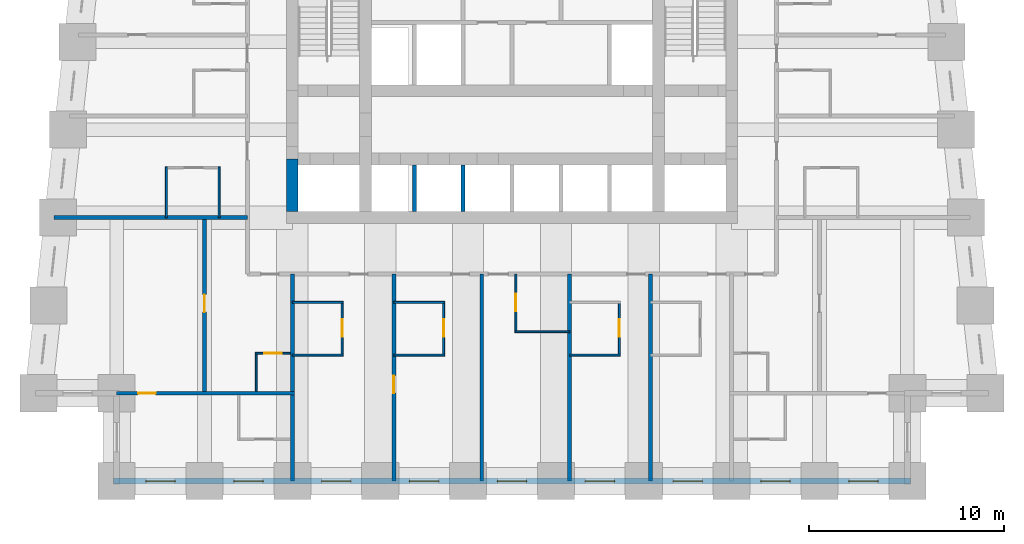
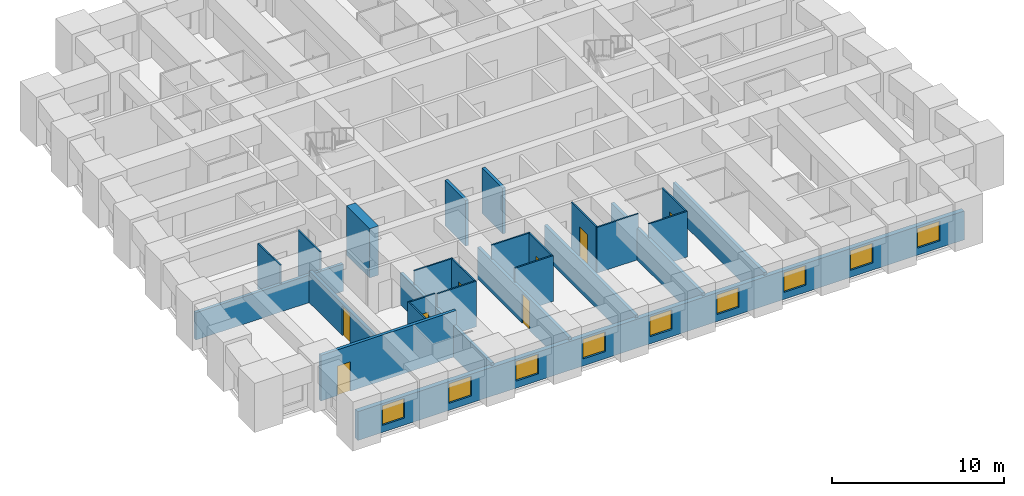
# One storey, part 2 of 8: 26 walls, 9 windows, 8 doors, 17 openings.
"""IFC4 building model written with IfcOpenShell, lengths in metres."""

import ifcopenshell
import ifcopenshell.guid

model = None  # the IFC model being written
_history = None  # IfcOwnerHistory: only IFC2X3 demands one
_inside = {}  # id of a spatial element -> (the spatial element, [elements in it])
_under = {}  # id of a project, library or spatial element -> (it, [spatial elements below it])
_declared = {}  # id of a project -> (the project, [libraries it declares])
_typed = {}  # id of a type object -> (the type object, [elements of that type])
_made_of = {}  # id of a material, layer set ... -> (it, [elements and type objects made of it])


def new_model(schema):
    """Start an empty IFC model of exactly this schema.

    Asked for "IFC4X3", IfcOpenShell would pick the latest addendum, in which some entities
    have other attributes; the version numbers below select the first issue.
    IFC2X3 requires an IfcOwnerHistory on every rooted entity: one is made here for all.
    """
    global model, _history
    if schema == "IFC4X3":
        model = ifcopenshell.file(schema_version=(4, 3, 0, 0))
    else:
        model = ifcopenshell.file(schema=schema)
    _inside.clear()
    _under.clear()
    _declared.clear()
    _typed.clear()
    _made_of.clear()
    _history = None
    if model.schema == "IFC2X3":
        org = make("IfcOrganization", Name="unknown")
        user = make(
            "IfcPersonAndOrganization",
            ThePerson=make("IfcPerson", FamilyName="unknown"),
            TheOrganization=org,
        )
        app = make(
            "IfcApplication",
            ApplicationDeveloper=org,
            Version="unknown",
            ApplicationFullName="unknown",
            ApplicationIdentifier="unknown",
        )
        _history = make(
            "IfcOwnerHistory",
            OwningUser=user,
            OwningApplication=app,
            ChangeAction="ADDED",
            CreationDate=0,
        )
    return model


def make(cls, **values):
    """One entity of the class cls with the attributes given. An attribute that is None is left unset."""
    return model.create_entity(
        cls, **{name: value for name, value in values.items() if value is not None}
    )


def rooted(cls, **values):
    """An entity with a GlobalId (a new one), such as an element, a storey or a relation."""
    return make(cls, GlobalId=ifcopenshell.guid.new(), OwnerHistory=_history, **values)


def si_unit(unit_type, name, prefix=None):
    """IfcSIUnit, for example si_unit("LENGTHUNIT", "METRE", prefix="MILLI")."""
    return make("IfcSIUnit", UnitType=unit_type, Prefix=prefix, Name=name)


def assignment(units):
    """IfcUnitAssignment: the units of a project."""
    return None if units is None else make("IfcUnitAssignment", Units=units)


def point(xyz):
    """IfcCartesianPoint."""
    return None if xyz is None else make("IfcCartesianPoint", Coordinates=xyz)


def direction(xyz):
    """IfcDirection."""
    return None if xyz is None else make("IfcDirection", DirectionRatios=xyz)


def frame(location, z_axis=None, x_axis=None):
    """IfcAxis2Placement3D, a coordinate frame: its origin and axes. An axis left out is left unset."""
    return make(
        "IfcAxis2Placement3D",
        Location=point(location),
        Axis=direction(z_axis),
        RefDirection=direction(x_axis),
    )


def frame_2d(location, x_axis=None):
    """IfcAxis2Placement2D, a coordinate frame in the plane: its origin and x axis."""
    return make(
        "IfcAxis2Placement2D", Location=point(location), RefDirection=direction(x_axis)
    )


def origin():
    """The frame at (0, 0, 0) with its axes left unset."""
    return frame((0.0, 0.0, 0.0))


def place(relative_to, where):
    """IfcLocalPlacement: puts the frame where relative to a parent placement (None: the world)."""
    return make(
        "IfcLocalPlacement", PlacementRelTo=relative_to, RelativePlacement=where
    )


def context(
    kind, dimensions, precision=None, world=None, true_north=None, identifier=None
):
    """IfcGeometricRepresentationContext, for example the 3D "Model" context."""
    return make(
        "IfcGeometricRepresentationContext",
        ContextIdentifier=identifier,
        ContextType=kind,
        CoordinateSpaceDimension=dimensions,
        Precision=precision,
        WorldCoordinateSystem=world,
        TrueNorth=true_north,
    )


def subcontext(parent, identifier, kind, view, scale=None):
    """IfcGeometricRepresentationSubContext, for example "Body" below "Model"."""
    return make(
        "IfcGeometricRepresentationSubContext",
        ContextIdentifier=identifier,
        ContextType=kind,
        ParentContext=parent,
        TargetScale=scale,
        TargetView=view,
    )


def project(units=None, contexts=None):
    """IfcProject with its units and contexts."""
    return rooted(
        "IfcProject",
        Name="project",
        RepresentationContexts=contexts,
        UnitsInContext=assignment(units),
    )


def spatial(cls, under=None, at=None, **own):
    """A site, building, storey or space (cls), placed at a placement, below another one or the project."""
    s = rooted(cls, ObjectPlacement=at, **own)
    if under is not None:
        _under.setdefault(under.id(), (under, []))[1].append(s)
    return s


def profile(cls, at=None, kind="AREA", **sizes):
    """A parametric profile (cls). Its sizes go by their IFC names, for example OverallWidth=200.0."""
    return make(cls, ProfileType=kind, Position=at, **sizes)


def rectangle(**sizes):
    """IfcRectangleProfileDef."""
    return profile("IfcRectangleProfileDef", **sizes)


def extrude(swept, where, along, depth):
    """IfcExtrudedAreaSolid: the profile swept, set in the frame where, extruded along a direction by depth."""
    return make(
        "IfcExtrudedAreaSolid",
        SweptArea=swept,
        Position=where,
        ExtrudedDirection=direction(along),
        Depth=depth,
    )


def shape(context_of_items, identifier, shape_type, items):
    """IfcShapeRepresentation: the items that make up one representation, for example the "Body"."""
    return make(
        "IfcShapeRepresentation",
        ContextOfItems=context_of_items,
        RepresentationIdentifier=identifier,
        RepresentationType=shape_type,
        Items=items,
    )


def material(Name=None, Category=None):
    """IfcMaterial."""
    return make("IfcMaterial", Name=Name, Category=Category)


def layer(
    of_material, thickness, ventilated=None, Name=None, Category=None, Priority=None
):
    """IfcMaterialLayer: one layer of a wall or slab, of a material (None: an air gap)."""
    return make(
        "IfcMaterialLayer",
        Material=of_material,
        LayerThickness=thickness,
        IsVentilated=ventilated,
        Name=Name,
        Category=Category,
        Priority=Priority,
    )


def layer_set(layers, Name=None):
    """IfcMaterialLayerSet."""
    return make("IfcMaterialLayerSet", MaterialLayers=layers, LayerSetName=Name)


def made_of(thing, what):
    """Note that an element or type object is made of a material, layer set ...; save() writes the relation."""
    if what is not None:
        _made_of.setdefault(what.id(), (what, []))[1].append(thing)
    return thing


def type_object(cls, material=None, **own):
    """A type object (cls), such as IfcWallType, which elements share."""
    return made_of(rooted(cls, **own), material)


def element(
    cls,
    number,
    at=None,
    inside=None,
    cuts=None,
    type_object=None,
    material=None,
    context=None,
    identifier="Body",
    shape_type=None,
    held_by="IfcProductDefinitionShape",
    body=None,
    shapes=None,
    **own,
):
    """One element of the class cls, such as IfcWall. Its Tag is "e" and its number.

    at: its placement. inside: the storey or other place that contains it. cuts: it is an
    opening in that element (IfcRelVoidsElement). A single representation is given by context,
    identifier, shape_type and body (its items); several are given by shapes. held_by: the class
    of the entity that holds the representations. save() writes the other relations.
    """
    e = rooted(cls, Tag="e%d" % number, ObjectPlacement=at, **own)
    if body is not None:
        shapes = [shape(context, identifier, shape_type, body)]
    if shapes is not None:
        e.Representation = make(held_by, Representations=shapes)
    if inside is not None:
        _inside.setdefault(inside.id(), (inside, []))[1].append(e)
    if cuts is not None:
        rooted(
            "IfcRelVoidsElement", RelatingBuildingElement=cuts, RelatedOpeningElement=e
        )
    if type_object is not None:
        _typed.setdefault(type_object.id(), (type_object, []))[1].append(e)
    return made_of(e, material)


def fill(opening, filler):
    """IfcRelFillsElement: the door or window that sits in an opening."""
    return rooted(
        "IfcRelFillsElement",
        RelatingOpeningElement=opening,
        RelatedBuildingElement=filler,
    )


def aggregate(whole, parts):
    """IfcRelAggregates: a whole, such as a stair, and the parts it consists of."""
    return rooted("IfcRelAggregates", RelatingObject=whole, RelatedObjects=parts)


def save(model, path):
    """Write the relations noted so far, then the file.

    IfcRelAggregates (storeys below a building ...), IfcRelContainedInSpatialStructure (elements
    in a storey), IfcRelDefinesByType, IfcRelAssociatesMaterial and IfcRelDeclares: one each for
    every whole, place, type object, material and project.
    """
    for whole, parts in _under.values():
        aggregate(whole, parts)
    for where, things in _inside.values():
        rooted(
            "IfcRelContainedInSpatialStructure",
            RelatedElements=things,
            RelatingStructure=where,
        )
    for kind, things in _typed.values():
        rooted("IfcRelDefinesByType", RelatedObjects=things, RelatingType=kind)
    for what, things in _made_of.values():
        rooted("IfcRelAssociatesMaterial", RelatedObjects=things, RelatingMaterial=what)
    for by, libraries in _declared.values():
        rooted("IfcRelDeclares", RelatingContext=by, RelatedDefinitions=libraries)
    model.write(path)


model = new_model("IFC4")

# Units and contexts
model_context = context("Model", 3, precision=1e-05, world=origin(), true_north=direction((0.0, 1.0)))
body_context = subcontext(model_context, "Body", "Model", "MODEL_VIEW")
ifc_project = project(units=[si_unit("LENGTHUNIT", "METRE"), si_unit("AREAUNIT", "SQUARE_METRE"), si_unit("VOLUMEUNIT", "CUBIC_METRE"), si_unit("PLANEANGLEUNIT", "RADIAN"), si_unit("MASSUNIT", "GRAM", prefix="KILO")], contexts=[model_context])

# Site, building, storey
site_placement = place(None, origin())
site = spatial("IfcSite", under=ifc_project, at=site_placement, CompositionType="ELEMENT")
building_placement = place(site_placement, origin())
building = spatial("IfcBuilding", under=site, at=building_placement, Name="Kilele Tower Hotel", CompositionType="ELEMENT")
storey_placement = place(building_placement, frame((0.0, 0.0, 43.699951171875)))
storey = spatial("IfcBuildingStorey", under=building, at=storey_placement, Name="L09", CompositionType="ELEMENT", Elevation=43.699951171875)

# Walls
ifc_material_1 = material(Name="Moisture-resistant board")
ifc_layer_1 = layer(ifc_material_1, 0.10009765625)
ifc_layer_set_1 = layer_set([ifc_layer_1], Name="Moisture-resistant board")
wall_type_1 = type_object("IfcWallType", Name="Bathroom partition 100", PredefinedType="PLUMBINGWALL", material=ifc_layer_set_1)
for number, where, z_axis, x_axis, name in (
    (1, (13.5, 9.14990234375, 0.0), (0.0, 0.0, 1.0), (1.0, 0.0, 0.0), "Bathroom partition 100 L09"),
    (2, (13.5, 6.449951171875, 0.0), (0.0, 0.0, 1.0), (1.0, 0.0, 0.0), "Bathroom partition 100 L09"),
):
    element("IfcWall", number, at=place(storey_placement, frame(where, z_axis=z_axis, x_axis=x_axis)), inside=storey, type_object=wall_type_1, Name=name, PredefinedType="PLUMBINGWALL", context=body_context, shape_type="SweptSolid", body=[
        extrude(rectangle(XDim=2.60009765625, YDim=0.10009765625, at=frame_2d((1.300048828125, 0.0))), origin(), (0.0, 0.0, 1.0), 3.25),
    ])

# Wall, opening, door
wall_1_placement = place(storey_placement, frame((16.050048828125, 9.199951171875, 0.0), z_axis=(0.0, 0.0, 1.0), x_axis=(0.0, -1.0, 0.0)))
wall_1 = element("IfcWall", 3, at=wall_1_placement, inside=storey, type_object=wall_type_1, Name="Bathroom partition 100 L09", PredefinedType="PLUMBINGWALL", context=body_context, shape_type="SweptSolid", body=[
    extrude(rectangle(XDim=2.800048828125, YDim=0.10009765625, at=frame_2d((1.39990234375, 0.0))), origin(), (0.0, 0.0, 1.0), 3.25),
])
opening_1_placement = place(wall_1_placement, frame((0.89990234375, 0.0, 0.0)))
opening_1 = element("IfcOpeningElement", 4, at=opening_1_placement, cuts=wall_1, Name="Opening D2A", PredefinedType="OPENING", context=body_context, shape_type="SweptSolid", body=[
    extrude(rectangle(XDim=0.89990234375, YDim=2.10009765625, at=frame_2d((0.449951171875, 1.050048828125))), frame((0.0, 0.06005859375, 0.0), z_axis=(0.0, -1.0, 0.0), x_axis=(1.0, 0.0, 0.0)), (0.0, 0.0, 1.0), 0.1201171875),
])
ifc_material_2 = material(Name="Timber door leaf in hardwood frame", Category="wood")
door_type_1 = type_object("IfcDoorType", Name="Bathroom door 900", OperationType="SINGLE_SWING_LEFT", PredefinedType="DOOR", material=ifc_material_2)
door_1_placement = place(opening_1_placement, origin())
door_1 = element("IfcDoor", 5, at=door_1_placement, inside=storey, type_object=door_type_1, Name="Bathroom door 0901B", OperationType="SINGLE_SWING_LEFT", OverallHeight=2.10009765625, OverallWidth=0.89990234375, PredefinedType="DOOR", context=body_context, shape_type="SweptSolid", body=[
    extrude(rectangle(XDim=0.89990234375, YDim=2.10009765625, at=frame_2d((0.449951171875, 1.050048828125))), frame((0.0, 0.02490234375, 0.0), z_axis=(0.0, -1.0, 0.0), x_axis=(1.0, 0.0, 0.0)), (0.0, 0.0, 1.0), 0.050048828125),
])
fill(opening_1, door_1)

# Walls
for number, where, z_axis, x_axis, name in (
    (6, (18.699951171875, 9.14990234375, 0.0), (0.0, 0.0, 1.0), (1.0, 0.0, 0.0), "Bathroom partition 100 L09"),
    (7, (18.699951171875, 6.449951171875, 0.0), (0.0, 0.0, 1.0), (1.0, 0.0, 0.0), "Bathroom partition 100 L09"),
):
    element("IfcWall", number, at=place(storey_placement, frame(where, z_axis=z_axis, x_axis=x_axis)), inside=storey, type_object=wall_type_1, Name=name, PredefinedType="PLUMBINGWALL", context=body_context, shape_type="SweptSolid", body=[
        extrude(rectangle(XDim=2.60009765625, YDim=0.10009765625, at=frame_2d((1.300048828125, 0.0))), origin(), (0.0, 0.0, 1.0), 3.25),
    ])

# Wall, opening, door
wall_2_placement = place(storey_placement, frame((21.25, 9.199951171875, 0.0), z_axis=(0.0, 0.0, 1.0), x_axis=(0.0, -1.0, 0.0)))
wall_2 = element("IfcWall", 8, at=wall_2_placement, inside=storey, type_object=wall_type_1, Name="Bathroom partition 100 L09", PredefinedType="PLUMBINGWALL", context=body_context, shape_type="SweptSolid", body=[
    extrude(rectangle(XDim=2.800048828125, YDim=0.10009765625, at=frame_2d((1.39990234375, 0.0))), origin(), (0.0, 0.0, 1.0), 3.25),
])
opening_2_placement = place(wall_2_placement, frame((0.89990234375, 0.0, 0.0)))
opening_2 = element("IfcOpeningElement", 9, at=opening_2_placement, cuts=wall_2, Name="Opening D2A", PredefinedType="OPENING", context=body_context, shape_type="SweptSolid", body=[
    extrude(rectangle(XDim=0.89990234375, YDim=2.10009765625, at=frame_2d((0.449951171875, 1.050048828125))), frame((0.0, 0.06005859375, 0.0), z_axis=(0.0, -1.0, 0.0), x_axis=(1.0, 0.0, 0.0)), (0.0, 0.0, 1.0), 0.1201171875),
])
door_2_placement = place(opening_2_placement, origin())
door_2 = element("IfcDoor", 10, at=door_2_placement, inside=storey, type_object=door_type_1, Name="Bathroom door 0902B", OperationType="SINGLE_SWING_LEFT", OverallHeight=2.10009765625, OverallWidth=0.89990234375, PredefinedType="DOOR", context=body_context, shape_type="SweptSolid", body=[
    extrude(rectangle(XDim=0.89990234375, YDim=2.10009765625, at=frame_2d((0.449951171875, 1.050048828125))), frame((0.0, 0.02490234375, 0.0), z_axis=(0.0, -1.0, 0.0), x_axis=(1.0, 0.0, 0.0)), (0.0, 0.0, 1.0), 0.050048828125),
])
fill(opening_2, door_2)

# Wall
wall_3_placement = place(storey_placement, frame((24.89990234375, 7.64990234375, 0.0), z_axis=(0.0, 0.0, 1.0), x_axis=(1.0, 0.0, 0.0)))
element("IfcWall", 11, at=wall_3_placement, inside=storey, type_object=wall_type_1, Name="Bathroom partition 100 L09", PredefinedType="PLUMBINGWALL", context=body_context, shape_type="SweptSolid", body=[
    extrude(rectangle(XDim=2.800048828125, YDim=0.10009765625, at=frame_2d((1.39990234375, 0.0))), origin(), (0.0, 0.0, 1.0), 3.25),
])

# Wall, opening, door
wall_4_placement = place(storey_placement, frame((24.949951171875, 10.60009765625, 0.0), z_axis=(0.0, 0.0, 1.0), x_axis=(0.0, -1.0, 0.0)))
wall_4 = element("IfcWall", 12, at=wall_4_placement, inside=storey, type_object=wall_type_1, Name="Bathroom partition 100 L09", PredefinedType="PLUMBINGWALL", context=body_context, shape_type="SweptSolid", body=[
    extrude(rectangle(XDim=3.0, YDim=0.10009765625, at=frame_2d((1.5, 0.0))), origin(), (0.0, 0.0, 1.0), 3.25),
])
opening_3_placement = place(wall_4_placement, frame((1.89990234375, 0.0, 0.0), z_axis=(0.0, 0.0, 1.0), x_axis=(-1.0, 0.0, 0.0)))
opening_3 = element("IfcOpeningElement", 13, at=opening_3_placement, cuts=wall_4, Name="Opening D2A", PredefinedType="OPENING", context=body_context, shape_type="SweptSolid", body=[
    extrude(rectangle(XDim=0.89990234375, YDim=2.10009765625, at=frame_2d((0.449951171875, 1.050048828125))), frame((0.0, 0.06005859375, 0.0), z_axis=(0.0, -1.0, 0.0), x_axis=(1.0, 0.0, 0.0)), (0.0, 0.0, 1.0), 0.1201171875),
])
door_3_placement = place(opening_3_placement, origin())
door_3 = element("IfcDoor", 14, at=door_3_placement, inside=storey, type_object=door_type_1, Name="Bathroom door 0903B", OperationType="SINGLE_SWING_RIGHT", OverallHeight=2.10009765625, OverallWidth=0.89990234375, PredefinedType="DOOR", context=body_context, shape_type="SweptSolid", body=[
    extrude(rectangle(XDim=0.89990234375, YDim=2.10009765625, at=frame_2d((0.449951171875, 1.050048828125))), frame((0.0, 0.02490234375, 0.0), z_axis=(0.0, -1.0, 0.0), x_axis=(1.0, 0.0, 0.0)), (0.0, 0.0, 1.0), 0.050048828125),
])
fill(opening_3, door_3)

# Wall
wall_5_placement = place(storey_placement, frame((27.699951171875, 6.449951171875, 0.0), z_axis=(0.0, 0.0, 1.0), x_axis=(1.0, 0.0, 0.0)))
element("IfcWall", 15, at=wall_5_placement, inside=storey, type_object=wall_type_1, Name="Bathroom partition 100 L09", PredefinedType="PLUMBINGWALL", context=body_context, shape_type="SweptSolid", body=[
    extrude(rectangle(XDim=2.60009765625, YDim=0.10009765625, at=frame_2d((1.300048828125, 0.0))), origin(), (0.0, 0.0, 1.0), 3.25),
])

# Wall, opening, door
wall_6_placement = place(storey_placement, frame((30.25, 9.199951171875, 0.0), z_axis=(0.0, 0.0, 1.0), x_axis=(0.0, -1.0, 0.0)))
wall_6 = element("IfcWall", 16, at=wall_6_placement, inside=storey, type_object=wall_type_1, Name="Bathroom partition 100 L09", PredefinedType="PLUMBINGWALL", context=body_context, shape_type="SweptSolid", body=[
    extrude(rectangle(XDim=2.800048828125, YDim=0.10009765625, at=frame_2d((1.39990234375, 0.0))), origin(), (0.0, 0.0, 1.0), 3.25),
])
opening_4_placement = place(wall_6_placement, frame((0.89990234375, 0.0, 0.0)))
opening_4 = element("IfcOpeningElement", 17, at=opening_4_placement, cuts=wall_6, Name="Opening D2A", PredefinedType="OPENING", context=body_context, shape_type="SweptSolid", body=[
    extrude(rectangle(XDim=0.89990234375, YDim=2.10009765625, at=frame_2d((0.449951171875, 1.050048828125))), frame((0.0, 0.06005859375, 0.0), z_axis=(0.0, -1.0, 0.0), x_axis=(1.0, 0.0, 0.0)), (0.0, 0.0, 1.0), 0.1201171875),
])
door_4_placement = place(opening_4_placement, origin())
door_4 = element("IfcDoor", 18, at=door_4_placement, inside=storey, type_object=door_type_1, Name="Bathroom door 0904B", OperationType="SINGLE_SWING_LEFT", OverallHeight=2.10009765625, OverallWidth=0.89990234375, PredefinedType="DOOR", context=body_context, shape_type="SweptSolid", body=[
    extrude(rectangle(XDim=0.89990234375, YDim=2.10009765625, at=frame_2d((0.449951171875, 1.050048828125))), frame((0.0, 0.02490234375, 0.0), z_axis=(0.0, -1.0, 0.0), x_axis=(1.0, 0.0, 0.0)), (0.0, 0.0, 1.0), 0.050048828125),
])
fill(opening_4, door_4)

# Walls
for number, where, z_axis, x_axis, name in (
    (19, (9.75, 13.5, 0.0), (0.0, 0.0, 1.0), (0.0, 1.0, 0.0), "Bathroom partition 100 L09"),
    (20, (7.050048828125, 13.5, 0.0), (0.0, 0.0, 1.0), (0.0, 1.0, 0.0), "Bathroom partition 100 L09"),
):
    element("IfcWall", number, at=place(storey_placement, frame(where, z_axis=z_axis, x_axis=x_axis)), inside=storey, type_object=wall_type_1, Name=name, PredefinedType="PLUMBINGWALL", context=body_context, shape_type="SweptSolid", body=[
        extrude(rectangle(XDim=2.60009765625, YDim=0.10009765625, at=frame_2d((1.300048828125, 0.0))), origin(), (0.0, 0.0, 1.0), 3.25),
    ])
wall_7_placement = place(storey_placement, frame((11.64990234375, 4.60009765625, 0.0), z_axis=(0.0, 0.0, 1.0), x_axis=(0.0, 1.0, 0.0)))
element("IfcWall", 21, at=wall_7_placement, inside=storey, type_object=wall_type_1, Name="Bathroom partition 100 L09", PredefinedType="PLUMBINGWALL", context=body_context, shape_type="SweptSolid", body=[
    extrude(rectangle(XDim=2.0, YDim=0.10009765625, at=frame_2d((1.0, 0.0))), origin(), (0.0, 0.0, 1.0), 3.25),
])

# Wall, opening, door
wall_8_placement = place(storey_placement, frame((13.39990234375, 6.550048828125, 0.0), z_axis=(0.0, 0.0, 1.0), x_axis=(-1.0, 0.0, 0.0)))
wall_8 = element("IfcWall", 22, at=wall_8_placement, inside=storey, type_object=wall_type_1, Name="Bathroom partition 100 L09", PredefinedType="PLUMBINGWALL", context=body_context, shape_type="SweptSolid", body=[
    extrude(rectangle(XDim=1.7998046875, YDim=0.10009765625, at=frame_2d((0.89990234375, 0.0))), origin(), (0.0, 0.0, 1.0), 3.25),
])
opening_5_placement = place(wall_8_placement, frame((1.349853515625, 0.0, 0.0), z_axis=(0.0, 0.0, 1.0), x_axis=(-1.0, 0.0, 0.0)))
opening_5 = element("IfcOpeningElement", 23, at=opening_5_placement, cuts=wall_8, Name="Opening D2A", PredefinedType="OPENING", context=body_context, shape_type="SweptSolid", body=[
    extrude(rectangle(XDim=0.89990234375, YDim=2.10009765625, at=frame_2d((0.449951171875, 1.050048828125))), frame((0.0, 0.06005859375, 0.0), z_axis=(0.0, -1.0, 0.0), x_axis=(1.0, 0.0, 0.0)), (0.0, 0.0, 1.0), 0.1201171875),
])
door_5_placement = place(opening_5_placement, origin())
door_5 = element("IfcDoor", 24, at=door_5_placement, inside=storey, type_object=door_type_1, Name="Bathroom door 0917P", OperationType="SINGLE_SWING_RIGHT", OverallHeight=2.10009765625, OverallWidth=0.89990234375, PredefinedType="DOOR", context=body_context, shape_type="SweptSolid", body=[
    extrude(rectangle(XDim=0.89990234375, YDim=2.10009765625, at=frame_2d((0.449951171875, 1.050048828125))), frame((0.0, 0.02490234375, 0.0), z_axis=(0.0, -1.0, 0.0), x_axis=(1.0, 0.0, 0.0)), (0.0, 0.0, 1.0), 0.050048828125),
])
fill(opening_5, door_5)

# Wall
ifc_material_3 = material(Name="Concrete C60/75", Category="concrete")
ifc_layer_2 = layer(ifc_material_3, 0.60009765625)
ifc_layer_set_2 = layer_set([ifc_layer_2], Name="Concrete C60/75")
wall_type_2 = type_object("IfcWallType", Name="Core wall 600 C60/75", PredefinedType="SHEAR", material=ifc_layer_set_2)
wall_9_placement = place(storey_placement, frame((13.5, 16.5, 0.0), z_axis=(0.0, 0.0, 1.0), x_axis=(0.0, -1.0, 0.0)))
element("IfcWall", 25, at=wall_9_placement, inside=storey, type_object=wall_type_2, Name="Core wall W3 L09", PredefinedType="SHEAR", context=body_context, shape_type="SweptSolid", body=[
    extrude(rectangle(XDim=2.699951171875, YDim=0.60009765625, at=frame_2d((1.35009765625, 0.0))), origin(), (0.0, 0.0, 1.0), 3.5),
])

# Wall, opening, door
ifc_material_4 = material(Name="Blockwork, plastered both sides", Category="masonry")
ifc_layer_3 = layer(ifc_material_4, 0.199951171875)
ifc_layer_set_3 = layer_set([ifc_layer_3], Name="Blockwork, plastered both sides")
wall_type_3 = type_object("IfcWallType", Name="Partition wall 200", PredefinedType="PARTITIONING", material=ifc_layer_set_3)
wall_10_placement = place(storey_placement, frame((9.0, 4.60009765625, 0.0), z_axis=(0.0, 0.0, 1.0), x_axis=(0.0, 1.0, 0.0)))
wall_10 = element("IfcWall", 26, at=wall_10_placement, inside=storey, type_object=wall_type_3, Name="Partition wall 200 L09", PredefinedType="PARTITIONING", context=body_context, shape_type="SweptSolid", body=[
    extrude(rectangle(XDim=8.7998046875, YDim=0.199951171875, at=frame_2d((4.39990234375, 0.0))), origin(), (0.0, 0.0, 1.0), 2.25),
])
opening_6_placement = place(wall_10_placement, frame((4.050048828125, 0.0, 0.0)))
opening_6 = element("IfcOpeningElement", 27, at=opening_6_placement, cuts=wall_10, Name="Opening D3", PredefinedType="OPENING", context=body_context, shape_type="SweptSolid", body=[
    extrude(rectangle(XDim=0.89990234375, YDim=2.10009765625, at=frame_2d((0.449951171875, 1.050048828125))), frame((0.0, 0.10986328125, 0.0), z_axis=(0.0, -1.0, 0.0), x_axis=(1.0, 0.0, 0.0)), (0.0, 0.0, 1.0), 0.219970703125),
])
ifc_material_5 = material(Name="Timber door leaf in hardwood frame", Category="wood")
door_type_2 = type_object("IfcDoorType", Name="Suite internal door 900", OperationType="SINGLE_SWING_LEFT", PredefinedType="DOOR", material=ifc_material_5)
door_6_placement = place(opening_6_placement, origin())
door_6 = element("IfcDoor", 28, at=door_6_placement, inside=storey, type_object=door_type_2, Name="Suite door 0918", OperationType="SINGLE_SWING_RIGHT", OverallHeight=2.10009765625, OverallWidth=0.89990234375, PredefinedType="DOOR", context=body_context, shape_type="SweptSolid", body=[
    extrude(rectangle(XDim=0.89990234375, YDim=2.10009765625, at=frame_2d((0.449951171875, 1.050048828125))), frame((0.0, 0.02490234375, 0.0), z_axis=(0.0, -1.0, 0.0), x_axis=(1.0, 0.0, 0.0)), (0.0, 0.0, 1.0), 0.050048828125),
])
fill(opening_6, door_6)

ifc_material_6 = material(Name="Blockwork, plastered both sides", Category="masonry")
ifc_layer_4 = layer(ifc_material_6, 0.199951171875)
ifc_layer_set_4 = layer_set([ifc_layer_4], Name="Blockwork, plastered both sides")
wall_type_4 = type_object("IfcWallType", Name="Party wall 200", PredefinedType="PARTITIONING", material=ifc_layer_set_4)
wall_11_placement = place(storey_placement, frame((18.699951171875, 10.60009765625, 0.0), z_axis=(0.0, 0.0, 1.0), x_axis=(0.0, -1.0, 0.0)))
wall_11 = element("IfcWall", 29, at=wall_11_placement, inside=storey, type_object=wall_type_4, Name="Party wall 200 L09", PredefinedType="PARTITIONING", context=body_context, shape_type="SweptSolid", body=[
    extrude(rectangle(XDim=10.60009765625, YDim=0.199951171875, at=frame_2d((5.300048828125, 0.0))), origin(), (0.0, 0.0, 1.0), 2.25),
])
opening_7_placement = place(wall_11_placement, frame((5.199951171875, 0.0, 0.0)))
opening_7 = element("IfcOpeningElement", 30, at=opening_7_placement, cuts=wall_11, Name="Opening D3C", PredefinedType="OPENING", context=body_context, shape_type="SweptSolid", body=[
    extrude(rectangle(XDim=0.89990234375, YDim=2.10009765625, at=frame_2d((0.449951171875, 1.050048828125))), frame((0.0, 0.10986328125, 0.0), z_axis=(0.0, -1.0, 0.0), x_axis=(1.0, 0.0, 0.0)), (0.0, 0.0, 1.0), 0.219970703125),
])
ifc_material_7 = material(Name="Timber door leaf in hardwood frame", Category="wood")
door_type_3 = type_object("IfcDoorType", Name="Connecting door 900", OperationType="SINGLE_SWING_LEFT", PredefinedType="DOOR", material=ifc_material_7)
door_7_placement = place(opening_7_placement, origin())
door_7 = element("IfcDoor", 31, at=door_7_placement, inside=storey, type_object=door_type_3, Name="Connecting door 0902", OperationType="SINGLE_SWING_LEFT", OverallHeight=2.10009765625, OverallWidth=0.89990234375, PredefinedType="DOOR", context=body_context, shape_type="SweptSolid", body=[
    extrude(rectangle(XDim=0.89990234375, YDim=2.10009765625, at=frame_2d((0.449951171875, 1.050048828125))), frame((0.0, 0.02490234375, 0.0), z_axis=(0.0, -1.0, 0.0), x_axis=(1.0, 0.0, 0.0)), (0.0, 0.0, 1.0), 0.050048828125),
])
fill(opening_7, door_7)

# Walls
for number, where, z_axis, x_axis, name in (
    (32, (23.199951171875, 10.60009765625, 0.0), (0.0, 0.0, 1.0), (0.0, -1.0, 0.0), "Party wall 200 L09"),
    (33, (27.699951171875, 10.60009765625, 0.0), (0.0, 0.0, 1.0), (0.0, -1.0, 0.0), "Party wall 200 L09"),
    (34, (31.85009765625, 10.60009765625, 0.0), (0.0, 0.0, 1.0), (0.0, -1.0, 0.0), "Party wall 200 L09"),
):
    element("IfcWall", number, at=place(storey_placement, frame(where, z_axis=z_axis, x_axis=x_axis)), inside=storey, type_object=wall_type_4, Name=name, PredefinedType="PARTITIONING", context=body_context, shape_type="SweptSolid", body=[
        extrude(rectangle(XDim=10.60009765625, YDim=0.199951171875, at=frame_2d((5.300048828125, 0.0))), origin(), (0.0, 0.0, 1.0), 2.25),
    ])
wall_12_placement = place(storey_placement, frame((11.199951171875, 13.5, 0.0), z_axis=(0.0, 0.0, 1.0), x_axis=(-1.0, 0.0, 0.0)))
element("IfcWall", 35, at=wall_12_placement, inside=storey, type_object=wall_type_4, Name="Party wall 200 L09", PredefinedType="PARTITIONING", context=body_context, shape_type="SweptSolid", body=[
    extrude(rectangle(XDim=9.921142578125, YDim=0.199951171875, at=frame_2d((4.96044921875, 0.0))), origin(), (0.0, 0.0, 1.0), 1.949951171875),
])
wall_13_placement = place(storey_placement, frame((13.5, 10.60009765625, 0.0), z_axis=(0.0, 0.0, 1.0), x_axis=(0.0, -1.0, 0.0)))
element("IfcWall", 36, at=wall_13_placement, inside=storey, type_object=wall_type_4, Name="Party wall 200 L09", PredefinedType="PARTITIONING", context=body_context, shape_type="SweptSolid", body=[
    extrude(rectangle(XDim=10.60009765625, YDim=0.199951171875, at=frame_2d((5.300048828125, 0.0))), origin(), (0.0, 0.0, 1.0), 2.25),
])

# Wall, opening, door
wall_14_placement = place(storey_placement, frame((13.60009765625, 4.5, 0.0), z_axis=(0.0, 0.0, 1.0), x_axis=(-1.0, 0.0, 0.0)))
wall_14 = element("IfcWall", 37, at=wall_14_placement, inside=storey, type_object=wall_type_4, Name="Party wall 200 L09", PredefinedType="PARTITIONING", context=body_context, shape_type="SweptSolid", body=[
    extrude(rectangle(XDim=9.10009765625, YDim=0.199951171875, at=frame_2d((4.550048828125, 0.0))), origin(), (0.0, 0.0, 1.0), 3.25),
])
opening_8_placement = place(wall_14_placement, frame((7.10009765625, 0.0, 0.0)))
opening_8 = element("IfcOpeningElement", 38, at=opening_8_placement, cuts=wall_14, Name="Opening D3", PredefinedType="OPENING", context=body_context, shape_type="SweptSolid", body=[
    extrude(rectangle(XDim=0.89990234375, YDim=2.10009765625, at=frame_2d((0.449951171875, 1.050048828125))), frame((0.0, 0.10986328125, 0.0), z_axis=(0.0, -1.0, 0.0), x_axis=(1.0, 0.0, 0.0)), (0.0, 0.0, 1.0), 0.219970703125),
])
door_8_placement = place(opening_8_placement, origin())
door_8 = element("IfcDoor", 39, at=door_8_placement, inside=storey, type_object=door_type_2, Name="Suite door 0919", OperationType="SINGLE_SWING_RIGHT", OverallHeight=2.10009765625, OverallWidth=0.89990234375, PredefinedType="DOOR", context=body_context, shape_type="SweptSolid", body=[
    extrude(rectangle(XDim=0.89990234375, YDim=2.10009765625, at=frame_2d((0.449951171875, 1.050048828125))), frame((0.0, 0.02490234375, 0.0), z_axis=(0.0, -1.0, 0.0), x_axis=(1.0, 0.0, 0.0)), (0.0, 0.0, 1.0), 0.050048828125),
])
fill(opening_8, door_8)

# Wall, openings, windows
ifc_material_8 = material(Name="Concrete C40/50 precast", Category="concrete")
ifc_layer_5 = layer(ifc_material_8, 0.260009765625, Name="Precast backing", Category="LoadBearing")
ifc_material_9 = material(Name="Reconstituted stone finish", Category="masonry")
ifc_layer_6 = layer(ifc_material_9, 0.0400390625, Name="Face mix", Category="Finish")
ifc_layer_set_5 = layer_set([ifc_layer_5, ifc_layer_6], Name="Precast concrete C40/50, reconstituted stone finish")
wall_type_5 = type_object("IfcWallType", Name="Precast stone facade wall 300", PredefinedType="STANDARD", material=ifc_layer_set_5)
wall_15_placement = place(storey_placement, frame((4.35009765625, 0.0, 0.0), z_axis=(0.0, 0.0, 1.0), x_axis=(1.0, 0.0, 0.0)))
wall_15 = element("IfcWall", 40, at=wall_15_placement, inside=storey, type_object=wall_type_5, Name="Facade wall L09 edge 3", PredefinedType="STANDARD", context=body_context, shape_type="SweptSolid", body=[
    extrude(rectangle(XDim=40.7998046875, YDim=0.300048828125, at=frame_2d((20.39990234375, 0.0))), origin(), (0.0, 0.0, 1.0), 2.050048828125),
])
opening_9_placement = place(wall_15_placement, frame((1.64990234375, 0.0, 0.5)))
opening_9 = element("IfcOpeningElement", 41, at=opening_9_placement, cuts=wall_15, Name="Opening W1", PredefinedType="OPENING", context=body_context, shape_type="SweptSolid", body=[
    extrude(rectangle(XDim=1.5, YDim=1.39990234375, at=frame_2d((0.75, 0.699951171875))), frame((0.0, 0.159912109375, 0.0), z_axis=(0.0, -1.0, 0.0), x_axis=(1.0, 0.0, 0.0)), (0.0, 0.0, 1.0), 0.320068359375),
])
opening_10_placement = place(wall_15_placement, frame((6.14990234375, 0.0, 0.5)))
opening_10 = element("IfcOpeningElement", 42, at=opening_10_placement, cuts=wall_15, Name="Opening W1", PredefinedType="OPENING", context=body_context, shape_type="SweptSolid", body=[
    extrude(rectangle(XDim=1.5, YDim=1.39990234375, at=frame_2d((0.75, 0.699951171875))), frame((0.0, 0.159912109375, 0.0), z_axis=(0.0, -1.0, 0.0), x_axis=(1.0, 0.0, 0.0)), (0.0, 0.0, 1.0), 0.320068359375),
])
opening_11_placement = place(wall_15_placement, frame((10.64990234375, 0.0, 0.5)))
opening_11 = element("IfcOpeningElement", 43, at=opening_11_placement, cuts=wall_15, Name="Opening W1", PredefinedType="OPENING", context=body_context, shape_type="SweptSolid", body=[
    extrude(rectangle(XDim=1.5, YDim=1.39990234375, at=frame_2d((0.75, 0.699951171875))), frame((0.0, 0.159912109375, 0.0), z_axis=(0.0, -1.0, 0.0), x_axis=(1.0, 0.0, 0.0)), (0.0, 0.0, 1.0), 0.320068359375),
])
opening_12_placement = place(wall_15_placement, frame((15.14990234375, 0.0, 0.5)))
opening_12 = element("IfcOpeningElement", 44, at=opening_12_placement, cuts=wall_15, Name="Opening W1", PredefinedType="OPENING", context=body_context, shape_type="SweptSolid", body=[
    extrude(rectangle(XDim=1.5, YDim=1.39990234375, at=frame_2d((0.75, 0.699951171875))), frame((0.0, 0.159912109375, 0.0), z_axis=(0.0, -1.0, 0.0), x_axis=(1.0, 0.0, 0.0)), (0.0, 0.0, 1.0), 0.320068359375),
])
opening_13_placement = place(wall_15_placement, frame((19.64990234375, 0.0, 0.5)))
opening_13 = element("IfcOpeningElement", 45, at=opening_13_placement, cuts=wall_15, Name="Opening W1", PredefinedType="OPENING", context=body_context, shape_type="SweptSolid", body=[
    extrude(rectangle(XDim=1.5, YDim=1.39990234375, at=frame_2d((0.75, 0.699951171875))), frame((0.0, 0.159912109375, 0.0), z_axis=(0.0, -1.0, 0.0), x_axis=(1.0, 0.0, 0.0)), (0.0, 0.0, 1.0), 0.320068359375),
])
opening_14_placement = place(wall_15_placement, frame((24.14990234375, 0.0, 0.5)))
opening_14 = element("IfcOpeningElement", 46, at=opening_14_placement, cuts=wall_15, Name="Opening W1", PredefinedType="OPENING", context=body_context, shape_type="SweptSolid", body=[
    extrude(rectangle(XDim=1.5, YDim=1.39990234375, at=frame_2d((0.75, 0.699951171875))), frame((0.0, 0.159912109375, 0.0), z_axis=(0.0, -1.0, 0.0), x_axis=(1.0, 0.0, 0.0)), (0.0, 0.0, 1.0), 0.320068359375),
])
opening_15_placement = place(wall_15_placement, frame((28.64990234375, 0.0, 0.5)))
opening_15 = element("IfcOpeningElement", 47, at=opening_15_placement, cuts=wall_15, Name="Opening W1", PredefinedType="OPENING", context=body_context, shape_type="SweptSolid", body=[
    extrude(rectangle(XDim=1.5, YDim=1.39990234375, at=frame_2d((0.75, 0.699951171875))), frame((0.0, 0.159912109375, 0.0), z_axis=(0.0, -1.0, 0.0), x_axis=(1.0, 0.0, 0.0)), (0.0, 0.0, 1.0), 0.320068359375),
])
opening_16_placement = place(wall_15_placement, frame((33.14990234375, 0.0, 0.5)))
opening_16 = element("IfcOpeningElement", 48, at=opening_16_placement, cuts=wall_15, Name="Opening W1", PredefinedType="OPENING", context=body_context, shape_type="SweptSolid", body=[
    extrude(rectangle(XDim=1.5, YDim=1.39990234375, at=frame_2d((0.75, 0.699951171875))), frame((0.0, 0.159912109375, 0.0), z_axis=(0.0, -1.0, 0.0), x_axis=(1.0, 0.0, 0.0)), (0.0, 0.0, 1.0), 0.320068359375),
])
opening_17_placement = place(wall_15_placement, frame((37.64990234375, 0.0, 0.5)))
opening_17 = element("IfcOpeningElement", 49, at=opening_17_placement, cuts=wall_15, Name="Opening W1", PredefinedType="OPENING", context=body_context, shape_type="SweptSolid", body=[
    extrude(rectangle(XDim=1.5, YDim=1.39990234375, at=frame_2d((0.75, 0.699951171875))), frame((0.0, 0.159912109375, 0.0), z_axis=(0.0, -1.0, 0.0), x_axis=(1.0, 0.0, 0.0)), (0.0, 0.0, 1.0), 0.320068359375),
])
ifc_material_10 = material(Name="Aluminium frame, clear double glazing", Category="aluminium")
window_type = type_object("IfcWindowType", Name="Window W1 1500 x 1400", PartitioningType="SINGLE_PANEL", PredefinedType="WINDOW", material=ifc_material_10)
window_1_placement = place(opening_9_placement, origin())
window_1 = element("IfcWindow", 50, at=window_1_placement, inside=storey, type_object=window_type, Name="Window L09", OverallHeight=1.39990234375, OverallWidth=1.5, PartitioningType="SINGLE_PANEL", PredefinedType="WINDOW", context=body_context, shape_type="SweptSolid", body=[
    extrude(rectangle(XDim=1.5, YDim=1.39990234375, at=frame_2d((0.75, 0.699951171875))), frame((0.0, 0.030029296875, 0.0), z_axis=(0.0, -1.0, 0.0), x_axis=(1.0, 0.0, 0.0)), (0.0, 0.0, 1.0), 0.06005859375),
])
fill(opening_9, window_1)
window_2_placement = place(opening_10_placement, origin())
window_2 = element("IfcWindow", 51, at=window_2_placement, inside=storey, type_object=window_type, Name="Window L09", OverallHeight=1.39990234375, OverallWidth=1.5, PartitioningType="SINGLE_PANEL", PredefinedType="WINDOW", context=body_context, shape_type="SweptSolid", body=[
    extrude(rectangle(XDim=1.5, YDim=1.39990234375, at=frame_2d((0.75, 0.699951171875))), frame((0.0, 0.030029296875, 0.0), z_axis=(0.0, -1.0, 0.0), x_axis=(1.0, 0.0, 0.0)), (0.0, 0.0, 1.0), 0.06005859375),
])
fill(opening_10, window_2)
window_3_placement = place(opening_11_placement, origin())
window_3 = element("IfcWindow", 52, at=window_3_placement, inside=storey, type_object=window_type, Name="Window L09", OverallHeight=1.39990234375, OverallWidth=1.5, PartitioningType="SINGLE_PANEL", PredefinedType="WINDOW", context=body_context, shape_type="SweptSolid", body=[
    extrude(rectangle(XDim=1.5, YDim=1.39990234375, at=frame_2d((0.75, 0.699951171875))), frame((0.0, 0.030029296875, 0.0), z_axis=(0.0, -1.0, 0.0), x_axis=(1.0, 0.0, 0.0)), (0.0, 0.0, 1.0), 0.06005859375),
])
fill(opening_11, window_3)
window_4_placement = place(opening_12_placement, origin())
window_4 = element("IfcWindow", 53, at=window_4_placement, inside=storey, type_object=window_type, Name="Window L09", OverallHeight=1.39990234375, OverallWidth=1.5, PartitioningType="SINGLE_PANEL", PredefinedType="WINDOW", context=body_context, shape_type="SweptSolid", body=[
    extrude(rectangle(XDim=1.5, YDim=1.39990234375, at=frame_2d((0.75, 0.699951171875))), frame((0.0, 0.030029296875, 0.0), z_axis=(0.0, -1.0, 0.0), x_axis=(1.0, 0.0, 0.0)), (0.0, 0.0, 1.0), 0.06005859375),
])
fill(opening_12, window_4)
window_5_placement = place(opening_13_placement, origin())
window_5 = element("IfcWindow", 54, at=window_5_placement, inside=storey, type_object=window_type, Name="Window L09", OverallHeight=1.39990234375, OverallWidth=1.5, PartitioningType="SINGLE_PANEL", PredefinedType="WINDOW", context=body_context, shape_type="SweptSolid", body=[
    extrude(rectangle(XDim=1.5, YDim=1.39990234375, at=frame_2d((0.75, 0.699951171875))), frame((0.0, 0.030029296875, 0.0), z_axis=(0.0, -1.0, 0.0), x_axis=(1.0, 0.0, 0.0)), (0.0, 0.0, 1.0), 0.06005859375),
])
fill(opening_13, window_5)
window_6_placement = place(opening_14_placement, origin())
window_6 = element("IfcWindow", 55, at=window_6_placement, inside=storey, type_object=window_type, Name="Window L09", OverallHeight=1.39990234375, OverallWidth=1.5, PartitioningType="SINGLE_PANEL", PredefinedType="WINDOW", context=body_context, shape_type="SweptSolid", body=[
    extrude(rectangle(XDim=1.5, YDim=1.39990234375, at=frame_2d((0.75, 0.699951171875))), frame((0.0, 0.030029296875, 0.0), z_axis=(0.0, -1.0, 0.0), x_axis=(1.0, 0.0, 0.0)), (0.0, 0.0, 1.0), 0.06005859375),
])
fill(opening_14, window_6)
window_7_placement = place(opening_15_placement, origin())
window_7 = element("IfcWindow", 56, at=window_7_placement, inside=storey, type_object=window_type, Name="Window L09", OverallHeight=1.39990234375, OverallWidth=1.5, PartitioningType="SINGLE_PANEL", PredefinedType="WINDOW", context=body_context, shape_type="SweptSolid", body=[
    extrude(rectangle(XDim=1.5, YDim=1.39990234375, at=frame_2d((0.75, 0.699951171875))), frame((0.0, 0.030029296875, 0.0), z_axis=(0.0, -1.0, 0.0), x_axis=(1.0, 0.0, 0.0)), (0.0, 0.0, 1.0), 0.06005859375),
])
fill(opening_15, window_7)
window_8_placement = place(opening_16_placement, origin())
window_8 = element("IfcWindow", 57, at=window_8_placement, inside=storey, type_object=window_type, Name="Window L09", OverallHeight=1.39990234375, OverallWidth=1.5, PartitioningType="SINGLE_PANEL", PredefinedType="WINDOW", context=body_context, shape_type="SweptSolid", body=[
    extrude(rectangle(XDim=1.5, YDim=1.39990234375, at=frame_2d((0.75, 0.699951171875))), frame((0.0, 0.030029296875, 0.0), z_axis=(0.0, -1.0, 0.0), x_axis=(1.0, 0.0, 0.0)), (0.0, 0.0, 1.0), 0.06005859375),
])
fill(opening_16, window_8)
window_9_placement = place(opening_17_placement, origin())
window_9 = element("IfcWindow", 58, at=window_9_placement, inside=storey, type_object=window_type, Name="Window L09", OverallHeight=1.39990234375, OverallWidth=1.5, PartitioningType="SINGLE_PANEL", PredefinedType="WINDOW", context=body_context, shape_type="SweptSolid", body=[
    extrude(rectangle(XDim=1.5, YDim=1.39990234375, at=frame_2d((0.75, 0.699951171875))), frame((0.0, 0.030029296875, 0.0), z_axis=(0.0, -1.0, 0.0), x_axis=(1.0, 0.0, 0.0)), (0.0, 0.0, 1.0), 0.06005859375),
])
fill(opening_17, window_9)

# Walls
ifc_material_11 = material(Name="Blockwork, fire-rated", Category="masonry")
ifc_layer_7 = layer(ifc_material_11, 0.199951171875)
ifc_layer_set_6 = layer_set([ifc_layer_7], Name="Blockwork, fire-rated")
wall_type_6 = type_object("IfcWallType", Name="Shaft wall 200", PredefinedType="PARTITIONING", material=ifc_layer_set_6)
for number, where, z_axis, x_axis, name in (
    (59, (19.75, 13.800048828125, 0.0), (0.0, 0.0, 1.0), (0.0, 1.0, 0.0), "Shaft wall 200 L09"),
    (60, (22.25, 13.800048828125, 0.0), (0.0, 0.0, 1.0), (0.0, 1.0, 0.0), "Shaft wall 200 L09"),
):
    element("IfcWall", number, at=place(storey_placement, frame(where, z_axis=z_axis, x_axis=x_axis)), inside=storey, type_object=wall_type_6, Name=name, PredefinedType="PARTITIONING", context=body_context, shape_type="SweptSolid", body=[
        extrude(rectangle(XDim=2.39990234375, YDim=0.199951171875, at=frame_2d((1.199951171875, 0.0))), origin(), (0.0, 0.0, 1.0), 3.25),
    ])

save(model, "model.ifc")
